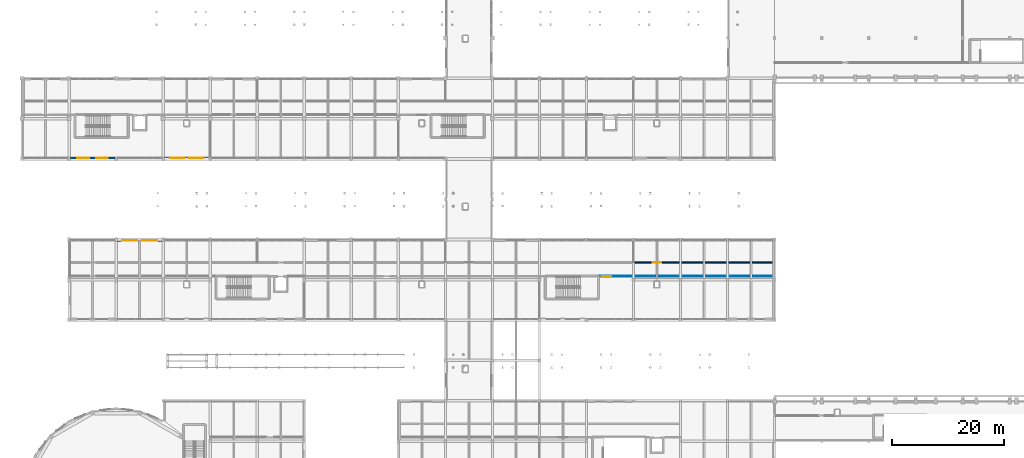
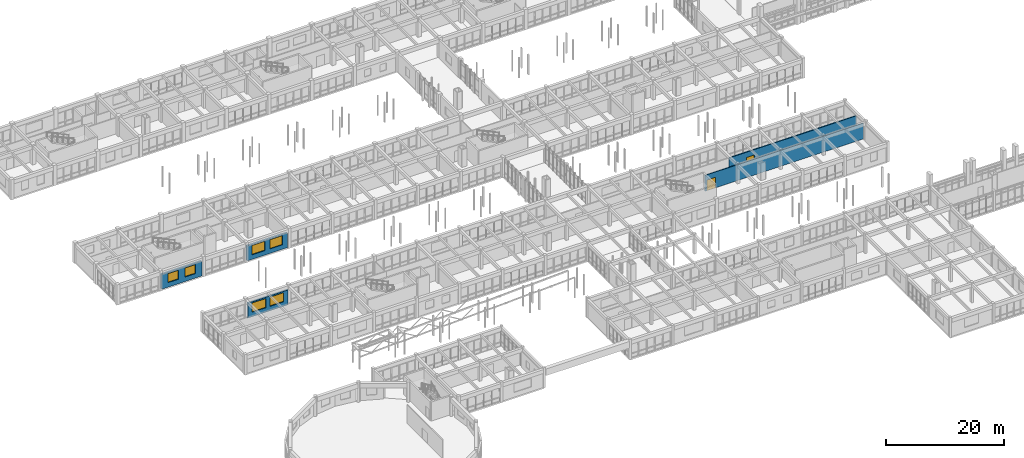
# One storey, part 129 of 147: 6 windows, 5 walls, 2 doors, 8 openings.
"""IFC4 building model written with IfcOpenShell, lengths in metres."""

from ifc_helpers import new_model, si_unit, direction, frame, frame_2d, origin, place, context, subcontext, project, spatial, rectangle, extrude, material, layer, layer_set, type_object, element, fill, save


model = new_model("IFC4")

# Units and contexts
model_context = context("Model", 3, precision=1e-05, world=origin(), true_north=direction((0.0, 1.0)))
body_context = subcontext(model_context, "Body", "Model", "MODEL_VIEW")
ifc_project = project(units=[si_unit("LENGTHUNIT", "METRE"), si_unit("AREAUNIT", "SQUARE_METRE"), si_unit("VOLUMEUNIT", "CUBIC_METRE"), si_unit("PLANEANGLEUNIT", "RADIAN"), si_unit("MASSUNIT", "GRAM", prefix="KILO")], contexts=[model_context])

# Site, building, storey
site_placement = place(None, origin())
site = spatial("IfcSite", under=ifc_project, at=site_placement, CompositionType="ELEMENT")
building_placement = place(site_placement, origin())
building = spatial("IfcBuilding", under=site, at=building_placement, Name="Malvenik Polytechnic", CompositionType="ELEMENT")
storey_placement = place(building_placement, frame((0.0, 0.0, 5.10009765625)))
storey = spatial("IfcBuildingStorey", under=building, at=storey_placement, Name="L01", CompositionType="ELEMENT", Elevation=5.10009765625)

# Wall, openings, windows
ifc_material_1 = material(Name="Concrete C30/37", Category="concrete")
ifc_layer_1 = layer(ifc_material_1, 0.340087890625)
ifc_layer_set_1 = layer_set([ifc_layer_1], Name="Concrete C30/37")
wall_type_1 = type_object("IfcWallType", Name="ARC-EW-340", PredefinedType="SOLIDWALL", material=ifc_layer_set_1)
wall_1_placement = place(storey_placement, frame((33.35205078125, 79.3701171875, 0.0), z_axis=(0.0, 0.0, 1.0), x_axis=(-1.0, 0.0, 0.0)))
wall_1 = element("IfcWall", 1, at=wall_1_placement, inside=storey, type_object=wall_type_1, Name="External Facade Wall EW-02 L01 #176", PredefinedType="SOLIDWALL", context=body_context, shape_type="SweptSolid", body=[
    extrude(rectangle(XDim=7.904052734375, YDim=0.340087890625, at=frame_2d((3.9521484375, 0.0))), origin(), (0.0, 0.0, 1.0), 3.10986328125),
])
opening_1_placement = place(wall_1_placement, frame((0.968017578125, 0.0, 0.949951171875)))
opening_1 = element("IfcOpeningElement", 2, at=opening_1_placement, cuts=wall_1, Name="Opening W-21", PredefinedType="OPENING", context=body_context, shape_type="SweptSolid", body=[
    extrude(rectangle(XDim=2.5, YDim=1.909912109375, at=frame_2d((1.25, 0.955078125))), frame((0.0, 0.18017578125, 0.0), z_axis=(0.0, -1.0, 0.0), x_axis=(1.0, 0.0, 0.0)), (0.0, 0.0, 1.0), 0.360107421875),
])
opening_2_placement = place(wall_1_placement, frame((4.43603515625, 0.0, 0.949951171875)))
opening_2 = element("IfcOpeningElement", 3, at=opening_2_placement, cuts=wall_1, Name="Opening W-21", PredefinedType="OPENING", context=body_context, shape_type="SweptSolid", body=[
    extrude(rectangle(XDim=2.5, YDim=1.909912109375, at=frame_2d((1.25, 0.955078125))), frame((0.0, 0.18017578125, 0.0), z_axis=(0.0, -1.0, 0.0), x_axis=(1.0, 0.0, 0.0)), (0.0, 0.0, 1.0), 0.360107421875),
])
ifc_material_2 = material(Name="Thermally broken aluminium frame with low-E double glazing", Category="aluminium")
window_type_1 = type_object("IfcWindowType", Name="ARC-WIN-W-21", PartitioningType="SINGLE_PANEL", PredefinedType="WINDOW", material=ifc_material_2)
window_1_placement = place(opening_1_placement, origin())
window_1 = element("IfcWindow", 4, at=window_1_placement, inside=storey, type_object=window_type_1, Name="Punched Window W-21 L01 #138", OverallHeight=1.909912109375, OverallWidth=2.5, PartitioningType="SINGLE_PANEL", PredefinedType="WINDOW", context=body_context, shape_type="SweptSolid", body=[
    extrude(rectangle(XDim=2.5, YDim=1.909912109375, at=frame_2d((1.25, 0.955078125))), frame((0.0, 0.030029296875, 0.0), z_axis=(0.0, -1.0, 0.0), x_axis=(1.0, 0.0, 0.0)), (0.0, 0.0, 1.0), 0.06005859375),
])
fill(opening_1, window_1)
window_2_placement = place(opening_2_placement, origin())
window_2 = element("IfcWindow", 5, at=window_2_placement, inside=storey, type_object=window_type_1, Name="Punched Window W-21 L01 #139", OverallHeight=1.909912109375, OverallWidth=2.5, PartitioningType="SINGLE_PANEL", PredefinedType="WINDOW", context=body_context, shape_type="SweptSolid", body=[
    extrude(rectangle(XDim=2.5, YDim=1.909912109375, at=frame_2d((1.25, 0.955078125))), frame((0.0, 0.030029296875, 0.0), z_axis=(0.0, -1.0, 0.0), x_axis=(1.0, 0.0, 0.0)), (0.0, 0.0, 1.0), 0.06005859375),
])
fill(opening_2, window_2)

wall_2_placement = place(storey_placement, frame((16.552001953125, 79.3701171875, 0.0), z_axis=(0.0, 0.0, 1.0), x_axis=(-1.0, 0.0, 0.0)))
wall_2 = element("IfcWall", 6, at=wall_2_placement, inside=storey, type_object=wall_type_1, Name="External Facade Wall EW-02 L01 #177", PredefinedType="SOLIDWALL", context=body_context, shape_type="SweptSolid", body=[
    extrude(rectangle(XDim=7.904052734375, YDim=0.340087890625, at=frame_2d((3.9521484375, 0.0))), origin(), (0.0, 0.0, 1.0), 3.10986328125),
])
opening_3_placement = place(wall_2_placement, frame((1.234619140625, 0.0, 0.949951171875)))
opening_3 = element("IfcOpeningElement", 7, at=opening_3_placement, cuts=wall_2, Name="Opening W-23", PredefinedType="OPENING", context=body_context, shape_type="SweptSolid", body=[
    extrude(rectangle(XDim=2.10009765625, YDim=1.85009765625, at=frame_2d((1.050048828125, 0.925048828125))), frame((0.0, 0.18017578125, 0.0), z_axis=(0.0, -1.0, 0.0), x_axis=(1.0, 0.0, 0.0)), (0.0, 0.0, 1.0), 0.360107421875),
])
opening_4_placement = place(wall_2_placement, frame((4.5693359375, 0.0, 0.949951171875)))
opening_4 = element("IfcOpeningElement", 8, at=opening_4_placement, cuts=wall_2, Name="Opening W-23", PredefinedType="OPENING", context=body_context, shape_type="SweptSolid", body=[
    extrude(rectangle(XDim=2.10009765625, YDim=1.85009765625, at=frame_2d((1.050048828125, 0.925048828125))), frame((0.0, 0.18017578125, 0.0), z_axis=(0.0, -1.0, 0.0), x_axis=(1.0, 0.0, 0.0)), (0.0, 0.0, 1.0), 0.360107421875),
])
window_type_2 = type_object("IfcWindowType", Name="ARC-WIN-W-23", PartitioningType="SINGLE_PANEL", PredefinedType="WINDOW", material=ifc_material_2)
window_3_placement = place(opening_3_placement, origin())
window_3 = element("IfcWindow", 9, at=window_3_placement, inside=storey, type_object=window_type_2, Name="Punched Window W-23 L01 #140", OverallHeight=1.85009765625, OverallWidth=2.10009765625, PartitioningType="SINGLE_PANEL", PredefinedType="WINDOW", context=body_context, shape_type="SweptSolid", body=[
    extrude(rectangle(XDim=2.10009765625, YDim=1.85009765625, at=frame_2d((1.050048828125, 0.925048828125))), frame((0.0, 0.030029296875, 0.0), z_axis=(0.0, -1.0, 0.0), x_axis=(1.0, 0.0, 0.0)), (0.0, 0.0, 1.0), 0.06005859375),
])
fill(opening_3, window_3)
window_4_placement = place(opening_4_placement, origin())
window_4 = element("IfcWindow", 10, at=window_4_placement, inside=storey, type_object=window_type_2, Name="Punched Window W-23 L01 #141", OverallHeight=1.85009765625, OverallWidth=2.10009765625, PartitioningType="SINGLE_PANEL", PredefinedType="WINDOW", context=body_context, shape_type="SweptSolid", body=[
    extrude(rectangle(XDim=2.10009765625, YDim=1.85009765625, at=frame_2d((1.050048828125, 0.925048828125))), frame((0.0, 0.030029296875, 0.0), z_axis=(0.0, -1.0, 0.0), x_axis=(1.0, 0.0, 0.0)), (0.0, 0.0, 1.0), 0.06005859375),
])
fill(opening_4, window_4)

wall_3_placement = place(storey_placement, frame((17.048095703125, 64.6298828125, 0.0), z_axis=(0.0, 0.0, 1.0), x_axis=(1.0, 0.0, 0.0)))
wall_3 = element("IfcWall", 11, at=wall_3_placement, inside=storey, type_object=wall_type_1, Name="External Facade Wall EW-02 L01 #243", PredefinedType="SOLIDWALL", context=body_context, shape_type="SweptSolid", body=[
    extrude(rectangle(XDim=7.90380859375, YDim=0.340087890625, at=frame_2d((3.951904296875, 0.0))), origin(), (0.0, 0.0, 1.0), 3.10986328125),
])
opening_5_placement = place(wall_3_placement, frame((0.85009765625, 0.0, 0.949951171875)))
opening_5 = element("IfcOpeningElement", 12, at=opening_5_placement, cuts=wall_3, Name="Opening W-27", PredefinedType="OPENING", context=body_context, shape_type="SweptSolid", body=[
    extrude(rectangle(XDim=2.699951171875, YDim=1.89990234375, at=frame_2d((1.35009765625, 0.949951171875))), frame((0.0, 0.18017578125, 0.0), z_axis=(0.0, -1.0, 0.0), x_axis=(1.0, 0.0, 0.0)), (0.0, 0.0, 1.0), 0.360107421875),
])
opening_6_placement = place(wall_3_placement, frame((4.35400390625, 0.0, 0.949951171875)))
opening_6 = element("IfcOpeningElement", 13, at=opening_6_placement, cuts=wall_3, Name="Opening W-27", PredefinedType="OPENING", context=body_context, shape_type="SweptSolid", body=[
    extrude(rectangle(XDim=2.699951171875, YDim=1.89990234375, at=frame_2d((1.35009765625, 0.949951171875))), frame((0.0, 0.18017578125, 0.0), z_axis=(0.0, -1.0, 0.0), x_axis=(1.0, 0.0, 0.0)), (0.0, 0.0, 1.0), 0.360107421875),
])
window_type_3 = type_object("IfcWindowType", Name="ARC-WIN-W-27", PartitioningType="SINGLE_PANEL", PredefinedType="WINDOW", material=ifc_material_2)
window_5_placement = place(opening_5_placement, origin())
window_5 = element("IfcWindow", 14, at=window_5_placement, inside=storey, type_object=window_type_3, Name="Punched Window W-27 L01 #208", OverallHeight=1.89990234375, OverallWidth=2.699951171875, PartitioningType="SINGLE_PANEL", PredefinedType="WINDOW", context=body_context, shape_type="SweptSolid", body=[
    extrude(rectangle(XDim=2.699951171875, YDim=1.89990234375, at=frame_2d((1.35009765625, 0.949951171875))), frame((0.0, 0.030029296875, 0.0), z_axis=(0.0, -1.0, 0.0), x_axis=(1.0, 0.0, 0.0)), (0.0, 0.0, 1.0), 0.06005859375),
])
fill(opening_5, window_5)
window_6_placement = place(opening_6_placement, origin())
window_6 = element("IfcWindow", 15, at=window_6_placement, inside=storey, type_object=window_type_3, Name="Punched Window W-27 L01 #209", OverallHeight=1.89990234375, OverallWidth=2.699951171875, PartitioningType="SINGLE_PANEL", PredefinedType="WINDOW", context=body_context, shape_type="SweptSolid", body=[
    extrude(rectangle(XDim=2.699951171875, YDim=1.89990234375, at=frame_2d((1.35009765625, 0.949951171875))), frame((0.0, 0.030029296875, 0.0), z_axis=(0.0, -1.0, 0.0), x_axis=(1.0, 0.0, 0.0)), (0.0, 0.0, 1.0), 0.06005859375),
])
fill(opening_6, window_6)

# Wall, opening, door
ifc_material_3 = material(Name="Calcium silicate fire-rated blockwork 200mm", Category="masonry")
ifc_layer_2 = layer(ifc_material_3, 0.199951171875)
ifc_layer_set_2 = layer_set([ifc_layer_2], Name="Calcium silicate fire-rated blockwork 200mm")
wall_type_2 = type_object("IfcWallType", Name="ARC-FW-200", PredefinedType="SOLIDWALL", material=ifc_layer_set_2)
wall_4_placement = place(storey_placement, frame((109.199951171875, 60.699951171875, 0.0), z_axis=(0.0, 0.0, 1.0), x_axis=(1.0, 0.0, 0.0)))
wall_4 = element("IfcWall", 16, at=wall_4_placement, inside=storey, type_object=wall_type_2, Name="Interior Partition FW-02 L01 #202", PredefinedType="SOLIDWALL", context=body_context, shape_type="SweptSolid", body=[
    extrude(rectangle(XDim=24.97998046875, YDim=0.199951171875, at=frame_2d((12.489990234375, 0.0))), origin(), (0.0, 0.0, 1.0), 3.304931640625),
])
opening_7_placement = place(wall_4_placement, frame((3.425048828125, 0.0, 0.0)))
opening_7 = element("IfcOpeningElement", 17, at=opening_7_placement, cuts=wall_4, Name="Opening FD-09", PredefinedType="OPENING", context=body_context, shape_type="SweptSolid", body=[
    extrude(rectangle(XDim=1.550048828125, YDim=2.199951171875, at=frame_2d((0.77490234375, 1.10009765625))), frame((0.0, 0.10986328125, 0.0), z_axis=(0.0, -1.0, 0.0), x_axis=(1.0, 0.0, 0.0)), (0.0, 0.0, 1.0), 0.219970703125),
])
ifc_material_4 = material(Name="Fire-rated studio corridor double door", Category="steel")
door_type_1 = type_object("IfcDoorType", Name="ARC-IDR-FD-09", OperationType="NOTDEFINED", PredefinedType="DOOR", material=ifc_material_4)
door_1_placement = place(opening_7_placement, origin())
door_1 = element("IfcDoor", 18, at=door_1_placement, inside=storey, type_object=door_type_1, Name="Interior Door FD-09 L01 #86", OperationType="DOUBLE_DOOR_SINGLE_SWING", OverallHeight=2.199951171875, OverallWidth=1.550048828125, PredefinedType="DOOR", context=body_context, shape_type="SweptSolid", body=[
    extrude(rectangle(XDim=1.550048828125, YDim=2.199951171875, at=frame_2d((0.77490234375, 1.10009765625))), frame((0.0, 0.02490234375, 0.0), z_axis=(0.0, -1.0, 0.0), x_axis=(1.0, 0.0, 0.0)), (0.0, 0.0, 1.0), 0.050048828125),
])
fill(opening_7, door_1)

ifc_material_5 = material(Name="Double-stud acoustic gypsum board partition 160mm", Category="gypsum")
ifc_layer_3 = layer(ifc_material_5, 0.159912109375)
ifc_layer_set_3 = layer_set([ifc_layer_3], Name="Double-stud acoustic gypsum board partition 160mm")
wall_type_3 = type_object("IfcWallType", Name="ARC-PW-160", PredefinedType="PARTITIONING", material=ifc_layer_set_3)
wall_5_placement = place(storey_placement, frame((134.179931640625, 58.25, 0.0), z_axis=(0.0, 0.0, 1.0), x_axis=(-1.0, 0.0, 0.0)))
wall_5 = element("IfcWall", 19, at=wall_5_placement, inside=storey, type_object=wall_type_3, Name="Interior Partition PW-01I L01 #211", PredefinedType="PARTITIONING", context=body_context, shape_type="SweptSolid", body=[
    extrude(rectangle(XDim=31.08984375, YDim=0.159912109375, at=frame_2d((15.544921875, 0.0))), origin(), (0.0, 0.0, 1.0), 3.304931640625),
])
opening_8_placement = place(wall_5_placement, frame((28.989990234375, 0.0, 0.0)))
opening_8 = element("IfcOpeningElement", 20, at=opening_8_placement, cuts=wall_5, Name="Opening FD-03", PredefinedType="OPENING", context=body_context, shape_type="SweptSolid", body=[
    extrude(rectangle(XDim=1.64990234375, YDim=2.199951171875, at=frame_2d((0.824951171875, 1.10009765625))), frame((0.0, 0.08984375, 0.0), z_axis=(0.0, -1.0, 0.0), x_axis=(1.0, 0.0, 0.0)), (0.0, 0.0, 1.0), 0.179931640625),
])
ifc_material_6 = material(Name="Fire-rated double-leaf laboratory door", Category="steel")
door_type_2 = type_object("IfcDoorType", Name="ARC-IDR-FD-03", OperationType="NOTDEFINED", PredefinedType="DOOR", material=ifc_material_6)
door_2_placement = place(opening_8_placement, origin())
door_2 = element("IfcDoor", 21, at=door_2_placement, inside=storey, type_object=door_type_2, Name="Interior Door FD-03 L01 #89", OperationType="DOUBLE_DOOR_SINGLE_SWING", OverallHeight=2.199951171875, OverallWidth=1.64990234375, PredefinedType="DOOR", context=body_context, shape_type="SweptSolid", body=[
    extrude(rectangle(XDim=1.64990234375, YDim=2.199951171875, at=frame_2d((0.824951171875, 1.10009765625))), frame((0.0, 0.02490234375, 0.0), z_axis=(0.0, -1.0, 0.0), x_axis=(1.0, 0.0, 0.0)), (0.0, 0.0, 1.0), 0.050048828125),
])
fill(opening_8, door_2)

save(model, "model.ifc")
